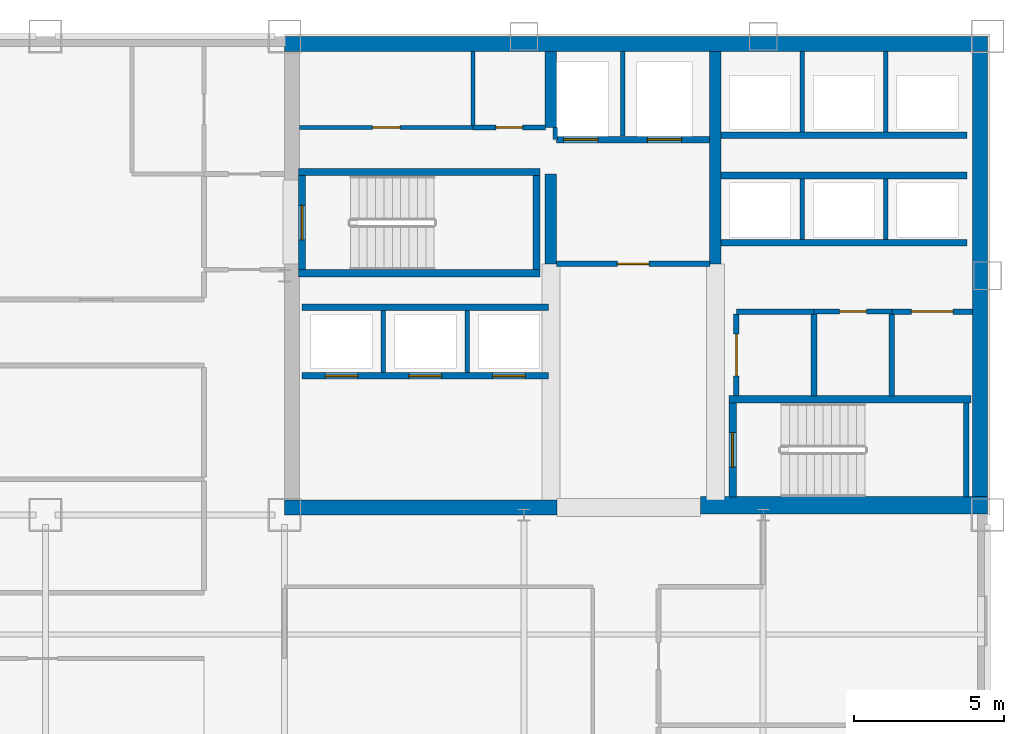
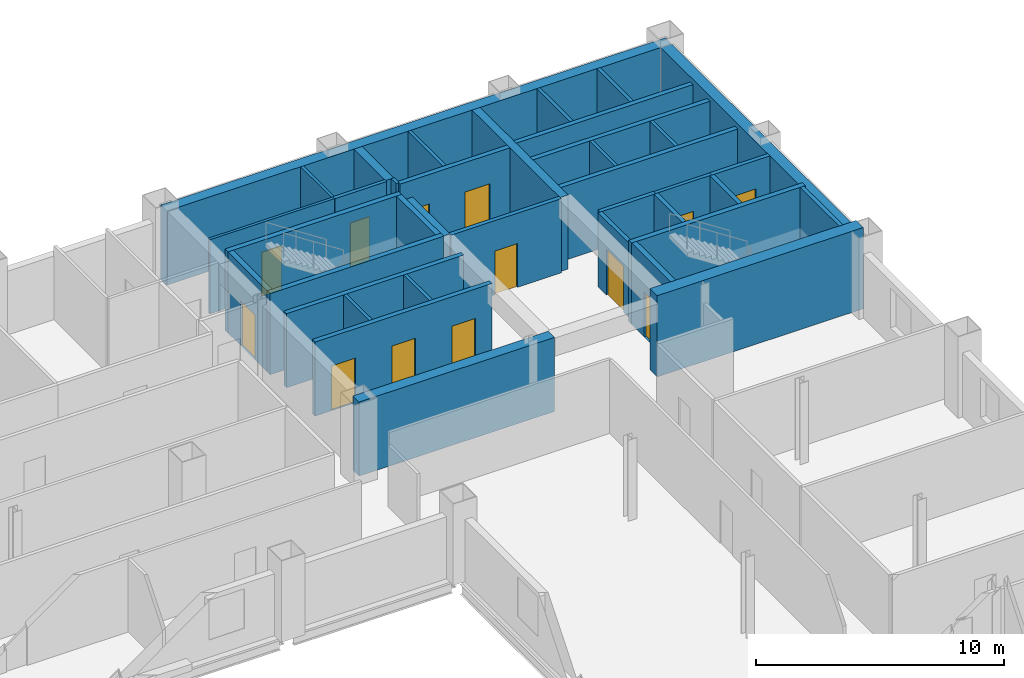
# One storey, part 7 of 10: 38 walls, 13 doors, 13 openings.
"""IFC4 building model written with IfcOpenShell, lengths in metres."""

from ifc_helpers import new_model, si_unit, direction, frame, frame_2d, origin, place, context, subcontext, project, spatial, rectangle, extrude, material, layer, layer_set, type_object, element, fill, save


model = new_model("IFC4")

# Units and contexts
model_context = context("Model", 3, precision=1e-05, world=origin(), true_north=direction((0.0, 1.0)))
body_context = subcontext(model_context, "Body", "Model", "MODEL_VIEW")
ifc_project = project(units=[si_unit("LENGTHUNIT", "METRE"), si_unit("AREAUNIT", "SQUARE_METRE"), si_unit("VOLUMEUNIT", "CUBIC_METRE"), si_unit("PLANEANGLEUNIT", "RADIAN"), si_unit("MASSUNIT", "GRAM", prefix="KILO")], contexts=[model_context])

# Site, building, storey
site_placement = place(None, origin())
site = spatial("IfcSite", under=ifc_project, at=site_placement, CompositionType="ELEMENT")
building_placement = place(site_placement, origin())
building = spatial("IfcBuilding", under=site, at=building_placement, Name="Qianrong Seaharbour Tower", CompositionType="ELEMENT")
storey_placement = place(building_placement, frame((0.0, 0.0, 191.0)))
storey = spatial("IfcBuildingStorey", under=building, at=storey_placement, Name="L46", CompositionType="ELEMENT", Elevation=191.0)

# Walls
ifc_material_1 = material(Name="Concrete C60/75", Category="concrete")
ifc_layer_1 = layer(ifc_material_1, 0.5)
ifc_layer_set_1 = layer_set([ifc_layer_1], Name="Concrete C60/75")
wall_type_1 = type_object("IfcWallType", Name="WALL-CORE-500", PredefinedType="SHEAR", material=ifc_layer_set_1)
wall_1_placement = place(storey_placement, frame((40.5, 51.75, 0.0), z_axis=(0.0, 0.0, 1.0), x_axis=(1.0, 0.0, 0.0)))
element("IfcWall", 1, at=wall_1_placement, inside=storey, type_object=wall_type_1, Name="L46 North Core Shear Wall", PredefinedType="SHEAR", context=body_context, shape_type="SweptSolid", body=[
    extrude(rectangle(XDim=23.5, YDim=0.5, at=frame_2d((11.75, 0.0))), origin(), (0.0, 0.0, 1.0), 3.64990234375),
])
wall_2_placement = place(storey_placement, frame((63.75, 36.320068359375, 0.0), z_axis=(0.0, 0.0, 1.0), x_axis=(0.0, 1.0, 0.0)))
element("IfcWall", 2, at=wall_2_placement, inside=storey, type_object=wall_type_1, Name="L46 East Core Shear Wall", PredefinedType="SHEAR", context=body_context, shape_type="SweptSolid", body=[
    extrude(rectangle(XDim=15.179931640625, YDim=0.5, at=frame_2d((7.58984375, 0.0))), origin(), (0.0, 0.0, 1.0), 3.64990234375),
])
wall_3_placement = place(storey_placement, frame((40.5, 36.25, 0.0), z_axis=(0.0, 0.0, 1.0), x_axis=(1.0, 0.0, 0.0)))
element("IfcWall", 3, at=wall_3_placement, inside=storey, type_object=wall_type_1, Name="L46 South Core Shear Wall S1", PredefinedType="SHEAR", context=body_context, shape_type="SweptSolid", body=[
    extrude(rectangle(XDim=9.10009765625, YDim=0.5, at=frame_2d((4.550048828125, 0.0))), origin(), (0.0, 0.0, 1.0), 3.64990234375),
])
ifc_material_2 = material(Name="Concrete C70/85", Category="concrete")
ifc_layer_2 = layer(ifc_material_2, 0.580078125)
ifc_layer_set_2 = layer_set([ifc_layer_2], Name="Concrete C70/85")
wall_type_2 = type_object("IfcWallType", Name="WALL-CORE-580", PredefinedType="SHEAR", material=ifc_layer_set_2)
wall_4_placement = place(storey_placement, frame((54.39990234375, 36.320068359375, 0.0), z_axis=(0.0, 0.0, 1.0), x_axis=(1.0, 0.0, 0.0)))
element("IfcWall", 4, at=wall_4_placement, inside=storey, type_object=wall_type_2, Name="L46 South Core Shear Wall S3", PredefinedType="SHEAR", context=body_context, shape_type="SweptSolid", body=[
    extrude(rectangle(XDim=9.60009765625, YDim=0.580078125, at=frame_2d((4.800048828125, 0.0))), origin(), (0.0, 0.0, 1.0), 4.0),
])
ifc_layer_3 = layer(ifc_material_1, 0.3798828125)
ifc_layer_set_3 = layer_set([ifc_layer_3], Name="Concrete C60/75")
wall_type_3 = type_object("IfcWallType", Name="WALL-CORE-INT-380", PredefinedType="SHEAR", material=ifc_layer_set_3)
wall_5_placement = place(storey_placement, frame((49.39990234375, 44.39990234375, 0.0), z_axis=(0.0, 0.0, 1.0), x_axis=(0.0, 1.0, 0.0)))
element("IfcWall", 5, at=wall_5_placement, inside=storey, type_object=wall_type_3, Name="L46 Internal Core Shear Wall IW1N1", PredefinedType="SHEAR", context=body_context, shape_type="SweptSolid", body=[
    extrude(rectangle(XDim=3.0, YDim=0.3798828125, at=frame_2d((1.5, 0.0))), origin(), (0.0, 0.0, 1.0), 3.64990234375),
])
wall_6_placement = place(storey_placement, frame((49.39990234375, 48.949951171875, 0.0), z_axis=(0.0, 0.0, 1.0), x_axis=(0.0, 1.0, 0.0)))
element("IfcWall", 6, at=wall_6_placement, inside=storey, type_object=wall_type_3, Name="L46 Internal Core Shear Wall IW1N2", PredefinedType="SHEAR", context=body_context, shape_type="SweptSolid", body=[
    extrude(rectangle(XDim=2.550048828125, YDim=0.3798828125, at=frame_2d((1.27490234375, 0.0))), origin(), (0.0, 0.0, 1.0), 3.64990234375),
])
wall_7_placement = place(storey_placement, frame((54.89990234375, 44.39990234375, 0.0), z_axis=(0.0, 0.0, 1.0), x_axis=(0.0, 1.0, 0.0)))
element("IfcWall", 7, at=wall_7_placement, inside=storey, type_object=wall_type_3, Name="L46 Internal Core Shear Wall IW2N", PredefinedType="SHEAR", context=body_context, shape_type="SweptSolid", body=[
    extrude(rectangle(XDim=7.10009765625, YDim=0.3798828125, at=frame_2d((3.550048828125, 0.0))), origin(), (0.0, 0.0, 1.0), 3.64990234375),
])

# Wall, opening, door
ifc_material_3 = material(Name="Fire-rated acoustic gypsum board partition")
ifc_layer_4 = layer(ifc_material_3, 0.1650390625)
ifc_layer_set_4 = layer_set([ifc_layer_4], Name="Fire-rated acoustic gypsum board partition")
wall_type_4 = type_object("IfcWallType", Name="WALL-CORR-PART-165", PredefinedType="PARTITIONING", material=ifc_layer_set_4)
wall_8_placement = place(storey_placement, frame((46.800048828125, 48.949951171875, 0.0), z_axis=(0.0, 0.0, 1.0), x_axis=(1.0, 0.0, 0.0)))
wall_8 = element("IfcWall", 8, at=wall_8_placement, inside=storey, type_object=wall_type_4, Name="L46 Interior Partition Wall 008", PredefinedType="PARTITIONING", context=body_context, shape_type="SweptSolid", body=[
    extrude(rectangle(XDim=2.41796875, YDim=0.1650390625, at=frame_2d((1.208984375, 0.0))), origin(), (0.0, 0.0, 1.0), 3.64990234375),
])
opening_1_placement = place(wall_8_placement, frame((0.759033203125, 0.0, 0.0)))
opening_1 = element("IfcOpeningElement", 9, at=opening_1_placement, cuts=wall_8, Name="Opening DS-01", PredefinedType="OPENING", context=body_context, shape_type="SweptSolid", body=[
    extrude(rectangle(XDim=0.89990234375, YDim=2.14990234375, at=frame_2d((0.449951171875, 1.074951171875))), frame((0.0, 0.092529296875, 0.0), z_axis=(0.0, -1.0, 0.0), x_axis=(1.0, 0.0, 0.0)), (0.0, 0.0, 1.0), 0.18505859375),
])
ifc_material_4 = material(Name="Acoustic timber and galvanized steel fire door assembly", Category="steel")
door_type_1 = type_object("IfcDoorType", Name="DOOR-STORE-900x2150", OperationType="NOTDEFINED", PredefinedType="DOOR", material=ifc_material_4)
door_1_placement = place(opening_1_placement, origin())
door_1 = element("IfcDoor", 10, at=door_1_placement, inside=storey, type_object=door_type_1, Name="L46 Janitor Store Room Door", OperationType="SINGLE_SWING_RIGHT", OverallHeight=2.14990234375, OverallWidth=0.89990234375, PredefinedType="DOOR", context=body_context, shape_type="SweptSolid", body=[
    extrude(rectangle(XDim=0.89990234375, YDim=2.14990234375, at=frame_2d((0.449951171875, 1.074951171875))), frame((0.0, 0.02490234375, 0.0), z_axis=(0.0, -1.0, 0.0), x_axis=(1.0, 0.0, 0.0)), (0.0, 0.0, 1.0), 0.050048828125),
])
fill(opening_1, door_1)

wall_9_placement = place(storey_placement, frame((60.800048828125, 42.800048828125, 0.0), z_axis=(0.0, 0.0, 1.0), x_axis=(-1.0, 0.0, 0.0)))
wall_9 = element("IfcWall", 11, at=wall_9_placement, inside=storey, type_object=wall_type_4, Name="L46 Interior Partition Wall 012", PredefinedType="PARTITIONING", context=body_context, shape_type="SweptSolid", body=[
    extrude(rectangle(XDim=2.60009765625, YDim=0.1650390625, at=frame_2d((1.300048828125, 0.0))), origin(), (0.0, 0.0, 1.0), 3.64990234375),
])
opening_2_placement = place(wall_9_placement, frame((0.85009765625, 0.0, 0.0)))
opening_2 = element("IfcOpeningElement", 12, at=opening_2_placement, cuts=wall_9, Name="Opening DS-01", PredefinedType="OPENING", context=body_context, shape_type="SweptSolid", body=[
    extrude(rectangle(XDim=0.89990234375, YDim=2.14990234375, at=frame_2d((0.449951171875, 1.074951171875))), frame((0.0, 0.092529296875, 0.0), z_axis=(0.0, -1.0, 0.0), x_axis=(1.0, 0.0, 0.0)), (0.0, 0.0, 1.0), 0.18505859375),
])
door_2_placement = place(opening_2_placement, origin())
door_2 = element("IfcDoor", 13, at=door_2_placement, inside=storey, type_object=door_type_1, Name="L46 Supply Store Room Door", OperationType="SINGLE_SWING_LEFT", OverallHeight=2.14990234375, OverallWidth=0.89990234375, PredefinedType="DOOR", context=body_context, shape_type="SweptSolid", body=[
    extrude(rectangle(XDim=0.89990234375, YDim=2.14990234375, at=frame_2d((0.449951171875, 1.074951171875))), frame((0.0, 0.02490234375, 0.0), z_axis=(0.0, -1.0, 0.0), x_axis=(1.0, 0.0, 0.0)), (0.0, 0.0, 1.0), 0.050048828125),
])
fill(opening_2, door_2)

ifc_material_5 = material(Name="Double fire-rated gypsum board acoustic partition")
ifc_layer_5 = layer(ifc_material_5, 0.18994140625)
ifc_layer_set_5 = layer_set([ifc_layer_5], Name="Double fire-rated gypsum board acoustic partition")
wall_type_5 = type_object("IfcWallType", Name="WALL-FIRE-PART-190", PredefinedType="PARTITIONING", material=ifc_layer_set_5)
wall_10_placement = place(storey_placement, frame((54.718017578125, 44.39990234375, 0.0), z_axis=(0.0, 0.0, 1.0), x_axis=(-1.0, 0.0, 0.0)))
wall_10 = element("IfcWall", 14, at=wall_10_placement, inside=storey, type_object=wall_type_5, Name="L46 Interior Partition Wall 009", PredefinedType="PARTITIONING", context=body_context, shape_type="SweptSolid", body=[
    extrude(rectangle(XDim=5.135986328125, YDim=0.18994140625, at=frame_2d((2.56787109375, 0.0))), origin(), (0.0, 0.0, 1.0), 3.64990234375),
])
opening_3_placement = place(wall_10_placement, frame((2.04296875, 0.0, 0.0)))
opening_3 = element("IfcOpeningElement", 15, at=opening_3_placement, cuts=wall_10, Name="Opening DC-01", PredefinedType="OPENING", context=body_context, shape_type="SweptSolid", body=[
    extrude(rectangle(XDim=1.050048828125, YDim=2.14990234375, at=frame_2d((0.52490234375, 1.074951171875))), frame((0.0, 0.10498046875, 0.0), z_axis=(0.0, -1.0, 0.0), x_axis=(1.0, 0.0, 0.0)), (0.0, 0.0, 1.0), 0.2099609375),
])
door_type_2 = type_object("IfcDoorType", Name="DOOR-CORR-FD60-1050x2150", OperationType="NOTDEFINED", PredefinedType="DOOR", material=ifc_material_4)
door_3_placement = place(opening_3_placement, origin())
door_3 = element("IfcDoor", 16, at=door_3_placement, inside=storey, type_object=door_type_2, Name="L46 Firefighting Lift Lobby Door", OperationType="SINGLE_SWING_RIGHT", OverallHeight=2.14990234375, OverallWidth=1.050048828125, PredefinedType="DOOR", context=body_context, shape_type="SweptSolid", body=[
    extrude(rectangle(XDim=1.050048828125, YDim=2.14990234375, at=frame_2d((0.52490234375, 1.074951171875))), frame((0.0, 0.02490234375, 0.0), z_axis=(0.0, -1.0, 0.0), x_axis=(1.0, 0.0, 0.0)), (0.0, 0.0, 1.0), 0.050048828125),
])
fill(opening_3, door_3)

wall_11_placement = place(storey_placement, frame((55.60009765625, 42.712890625, 0.0), z_axis=(0.0, 0.0, 1.0), x_axis=(0.0, -1.0, 0.0)))
wall_11 = element("IfcWall", 17, at=wall_11_placement, inside=storey, type_object=wall_type_5, Name="L46 Interior Partition Wall 010", PredefinedType="PARTITIONING", context=body_context, shape_type="SweptSolid", body=[
    extrude(rectangle(XDim=2.73095703125, YDim=0.18994140625, at=frame_2d((1.365478515625, 0.0))), origin(), (0.0, 0.0, 1.0), 3.64990234375),
])
opening_4_placement = place(wall_11_placement, frame((0.66552734375, 0.0, 0.0)))
opening_4 = element("IfcOpeningElement", 18, at=opening_4_placement, cuts=wall_11, Name="Opening DP-01", PredefinedType="OPENING", context=body_context, shape_type="SweptSolid", body=[
    extrude(rectangle(XDim=1.39990234375, YDim=2.25, at=frame_2d((0.699951171875, 1.125))), frame((0.0, 0.10498046875, 0.0), z_axis=(0.0, -1.0, 0.0), x_axis=(1.0, 0.0, 0.0)), (0.0, 0.0, 1.0), 0.2099609375),
])
door_type_3 = type_object("IfcDoorType", Name="DOOR-PLANT-PAIR-1400x2250", OperationType="DOUBLE_DOOR_SINGLE_SWING", PredefinedType="DOOR", material=ifc_material_4)
door_4_placement = place(opening_4_placement, origin())
door_4 = element("IfcDoor", 19, at=door_4_placement, inside=storey, type_object=door_type_3, Name="L46 Core Telecom Room Door", OperationType="DOUBLE_DOOR_SINGLE_SWING", OverallHeight=2.25, OverallWidth=1.39990234375, PredefinedType="DOOR", context=body_context, shape_type="SweptSolid", body=[
    extrude(rectangle(XDim=1.39990234375, YDim=2.25, at=frame_2d((0.699951171875, 1.125))), frame((0.0, 0.02490234375, 0.0), z_axis=(0.0, -1.0, 0.0), x_axis=(1.0, 0.0, 0.0)), (0.0, 0.0, 1.0), 0.050048828125),
])
fill(opening_4, door_4)

# Wall
wall_12_placement = place(storey_placement, frame((58.199951171875, 42.800048828125, 0.0), z_axis=(0.0, 0.0, 1.0), x_axis=(-1.0, 0.0, 0.0)))
element("IfcWall", 20, at=wall_12_placement, inside=storey, type_object=wall_type_5, Name="L46 Interior Partition Wall 011", PredefinedType="PARTITIONING", context=body_context, shape_type="SweptSolid", body=[
    extrude(rectangle(XDim=2.599853515625, YDim=0.18994140625, at=frame_2d((1.2998046875, 0.0))), origin(), (0.0, 0.0, 1.0), 3.64990234375),
])

# Wall, opening, door
wall_13_placement = place(storey_placement, frame((63.5, 42.800048828125, 0.0), z_axis=(0.0, 0.0, 1.0), x_axis=(-1.0, 0.0, 0.0)))
wall_13 = element("IfcWall", 21, at=wall_13_placement, inside=storey, type_object=wall_type_5, Name="L46 Interior Partition Wall 013", PredefinedType="PARTITIONING", context=body_context, shape_type="SweptSolid", body=[
    extrude(rectangle(XDim=2.699951171875, YDim=0.18994140625, at=frame_2d((1.35009765625, 0.0))), origin(), (0.0, 0.0, 1.0), 3.64990234375),
])
opening_5_placement = place(wall_13_placement, frame((0.64990234375, 0.0, 0.0)))
opening_5 = element("IfcOpeningElement", 22, at=opening_5_placement, cuts=wall_13, Name="Opening DP-01", PredefinedType="OPENING", context=body_context, shape_type="SweptSolid", body=[
    extrude(rectangle(XDim=1.39990234375, YDim=2.25, at=frame_2d((0.699951171875, 1.125))), frame((0.0, 0.10498046875, 0.0), z_axis=(0.0, -1.0, 0.0), x_axis=(1.0, 0.0, 0.0)), (0.0, 0.0, 1.0), 0.2099609375),
])
door_5_placement = place(opening_5_placement, origin())
door_5 = element("IfcDoor", 23, at=door_5_placement, inside=storey, type_object=door_type_3, Name="L46 Building Metering Room Door", OperationType="DOUBLE_DOOR_SINGLE_SWING", OverallHeight=2.25, OverallWidth=1.39990234375, PredefinedType="DOOR", context=body_context, shape_type="SweptSolid", body=[
    extrude(rectangle(XDim=1.39990234375, YDim=2.25, at=frame_2d((0.699951171875, 1.125))), frame((0.0, 0.02490234375, 0.0), z_axis=(0.0, -1.0, 0.0), x_axis=(1.0, 0.0, 0.0)), (0.0, 0.0, 1.0), 0.050048828125),
])
fill(opening_5, door_5)

# Walls
for number, where, z_axis, x_axis, name in (
    (24, (58.199951171875, 42.712890625, 0.0), (0.0, 0.0, 1.0), (0.0, -1.0, 0.0), "L46 Interior Partition Wall 015"),
    (25, (60.800048828125, 42.712890625, 0.0), (0.0, 0.0, 1.0), (0.0, -1.0, 0.0), "L46 Interior Partition Wall 016"),
):
    element("IfcWall", number, at=place(storey_placement, frame(where, z_axis=z_axis, x_axis=x_axis)), inside=storey, type_object=wall_type_5, Name=name, PredefinedType="PARTITIONING", context=body_context, shape_type="SweptSolid", body=[
        extrude(rectangle(XDim=2.73095703125, YDim=0.18994140625, at=frame_2d((1.365478515625, 0.0))), origin(), (0.0, 0.0, 1.0), 3.64990234375),
    ])
ifc_material_6 = material(Name="Fire-rated gypsum board on steel studs", Category="steel")
ifc_layer_6 = layer(ifc_material_6, 0.14990234375)
ifc_layer_set_6 = layer_set([ifc_layer_6], Name="Fire-rated gypsum board on steel studs")
wall_type_6 = type_object("IfcWallType", Name="WALL-SHAFT-DIV-150", PredefinedType="PARTITIONING", material=ifc_layer_set_6)
wall_14_placement = place(storey_placement, frame((51.800048828125, 48.669921875, 0.0), z_axis=(0.0, 0.0, 1.0), x_axis=(0.0, 1.0, 0.0)))
element("IfcWall", 26, at=wall_14_placement, inside=storey, type_object=wall_type_6, Name="L46 Firefighting Lift Shaft Divider Wall", PredefinedType="PARTITIONING", context=body_context, shape_type="SweptSolid", body=[
    extrude(rectangle(XDim=2.830078125, YDim=0.14990234375, at=frame_2d((1.4150390625, 0.0))), origin(), (0.0, 0.0, 1.0), 3.64990234375),
])
wall_15_placement = place(storey_placement, frame((49.550048828125, 48.550048828125, 0.0), z_axis=(0.0, 0.0, 1.0), x_axis=(0.0, 1.0, 0.0)))
element("IfcWall", 27, at=wall_15_placement, inside=storey, type_object=wall_type_6, Name="L46 Firefighting Lift Shaft West Return Wall", PredefinedType="PARTITIONING", context=body_context, shape_type="SweptSolid", body=[
    extrude(rectangle(XDim=0.39990234375, YDim=0.14990234375, at=frame_2d((0.199951171875, 0.0))), origin(), (0.0, 0.0, 1.0), 3.64990234375),
])
for number, where, z_axis, x_axis, name in (
    (28, (43.800048828125, 40.760009765625, 0.0), (0.0, 0.0, 1.0), (0.0, 1.0, 0.0), "L46 P2 Lift Hoistway Divider 2"),
    (29, (46.60009765625, 40.760009765625, 0.0), (0.0, 0.0, 1.0), (0.0, 1.0, 0.0), "L46 P2 Lift Hoistway Divider 3"),
):
    element("IfcWall", number, at=place(storey_placement, frame(where, z_axis=z_axis, x_axis=x_axis)), inside=storey, type_object=wall_type_6, Name=name, PredefinedType="PARTITIONING", context=body_context, shape_type="SweptSolid", body=[
        extrude(rectangle(XDim=2.080078125, YDim=0.14990234375, at=frame_2d((1.0400390625, 0.0))), origin(), (0.0, 0.0, 1.0), 3.64990234375),
    ])
for number, where, z_axis, x_axis, name in (
    (30, (57.800048828125, 45.2099609375, 0.0), (0.0, 0.0, 1.0), (0.0, 1.0, 0.0), "L46 P3 Lift Hoistway Divider 2"),
    (31, (60.60009765625, 45.2099609375, 0.0), (0.0, 0.0, 1.0), (0.0, 1.0, 0.0), "L46 P3 Lift Hoistway Divider 3"),
):
    element("IfcWall", number, at=place(storey_placement, frame(where, z_axis=z_axis, x_axis=x_axis)), inside=storey, type_object=wall_type_6, Name=name, PredefinedType="PARTITIONING", context=body_context, shape_type="SweptSolid", body=[
        extrude(rectangle(XDim=2.030029296875, YDim=0.14990234375, at=frame_2d((1.01513671875, 0.0))), origin(), (0.0, 0.0, 1.0), 3.64990234375),
    ])
for number, where, z_axis, x_axis, name in (
    (32, (57.800048828125, 48.81005859375, 0.0), (0.0, 0.0, 1.0), (0.0, 1.0, 0.0), "L46 P4 Lift Hoistway Divider 2"),
    (33, (60.60009765625, 48.81005859375, 0.0), (0.0, 0.0, 1.0), (0.0, 1.0, 0.0), "L46 P4 Lift Hoistway Divider 3"),
):
    element("IfcWall", number, at=place(storey_placement, frame(where, z_axis=z_axis, x_axis=x_axis)), inside=storey, type_object=wall_type_6, Name=name, PredefinedType="PARTITIONING", context=body_context, shape_type="SweptSolid", body=[
        extrude(rectangle(XDim=2.68994140625, YDim=0.14990234375, at=frame_2d((1.344970703125, 0.0))), origin(), (0.0, 0.0, 1.0), 3.64990234375),
    ])

# Wall, openings, doors
ifc_layer_7 = layer(ifc_material_6, 0.219970703125)
ifc_layer_set_7 = layer_set([ifc_layer_7], Name="Fire-rated gypsum board on steel studs")
wall_type_7 = type_object("IfcWallType", Name="WALL-SHAFT-GYP220", PredefinedType="PARTITIONING", material=ifc_layer_set_7)
wall_16_placement = place(storey_placement, frame((54.7099609375, 48.550048828125, 0.0), z_axis=(0.0, 0.0, 1.0), x_axis=(-1.0, 0.0, 0.0)))
wall_16 = element("IfcWall", 34, at=wall_16_placement, inside=storey, type_object=wall_type_7, Name="L46 Firefighting Lift Shaft Front Wall", PredefinedType="PARTITIONING", context=body_context, shape_type="SweptSolid", body=[
    extrude(rectangle(XDim=5.119873046875, YDim=0.219970703125, at=frame_2d((2.56005859375, 0.0))), origin(), (0.0, 0.0, 1.0), 3.64990234375),
])
opening_6_placement = place(wall_16_placement, frame((3.735107421875, 0.0, 0.0)))
opening_6 = element("IfcOpeningElement", 35, at=opening_6_placement, cuts=wall_16, Name="Opening LD-01", PredefinedType="OPENING", context=body_context, shape_type="SweptSolid", body=[
    extrude(rectangle(XDim=1.14990234375, YDim=2.199951171875, at=frame_2d((0.574951171875, 1.10009765625))), frame((0.0, 0.1201171875, 0.0), z_axis=(0.0, -1.0, 0.0), x_axis=(1.0, 0.0, 0.0)), (0.0, 0.0, 1.0), 0.239990234375),
])
opening_7_placement = place(wall_16_placement, frame((0.93505859375, 0.0, 0.0)))
opening_7 = element("IfcOpeningElement", 36, at=opening_7_placement, cuts=wall_16, Name="Opening LD-01", PredefinedType="OPENING", context=body_context, shape_type="SweptSolid", body=[
    extrude(rectangle(XDim=1.14990234375, YDim=2.199951171875, at=frame_2d((0.574951171875, 1.10009765625))), frame((0.0, 0.1201171875, 0.0), z_axis=(0.0, -1.0, 0.0), x_axis=(1.0, 0.0, 0.0)), (0.0, 0.0, 1.0), 0.239990234375),
])
ifc_material_7 = material(Name="Stainless steel SUS316L bi-parting lift landing door", Category="steel")
door_type_4 = type_object("IfcDoorType", Name="DOOR-LIFT-FF-1150x2200", OperationType="DOUBLE_DOOR_SLIDING", PredefinedType="DOOR", material=ifc_material_7)
door_6_placement = place(opening_6_placement, origin())
door_6 = element("IfcDoor", 37, at=door_6_placement, inside=storey, type_object=door_type_4, Name="L46 FL-1 Firefighting Lift Landing Door", OperationType="DOUBLE_DOOR_SLIDING", OverallHeight=2.199951171875, OverallWidth=1.14990234375, PredefinedType="DOOR", context=body_context, shape_type="SweptSolid", body=[
    extrude(rectangle(XDim=1.14990234375, YDim=2.199951171875, at=frame_2d((0.574951171875, 1.10009765625))), frame((0.0, 0.02490234375, 0.0), z_axis=(0.0, -1.0, 0.0), x_axis=(1.0, 0.0, 0.0)), (0.0, 0.0, 1.0), 0.050048828125),
])
fill(opening_6, door_6)
door_7_placement = place(opening_7_placement, origin())
door_7 = element("IfcDoor", 38, at=door_7_placement, inside=storey, type_object=door_type_4, Name="L46 FL-2 Firefighting Lift Landing Door", OperationType="DOUBLE_DOOR_SLIDING", OverallHeight=2.199951171875, OverallWidth=1.14990234375, PredefinedType="DOOR", context=body_context, shape_type="SweptSolid", body=[
    extrude(rectangle(XDim=1.14990234375, YDim=2.199951171875, at=frame_2d((0.574951171875, 1.10009765625))), frame((0.0, 0.02490234375, 0.0), z_axis=(0.0, -1.0, 0.0), x_axis=(1.0, 0.0, 0.0)), (0.0, 0.0, 1.0), 0.050048828125),
])
fill(opening_7, door_7)

wall_17_placement = place(storey_placement, frame((49.320068359375, 40.64990234375, 0.0), z_axis=(0.0, 0.0, 1.0), x_axis=(-1.0, 0.0, 0.0)))
wall_17 = element("IfcWall", 39, at=wall_17_placement, inside=storey, type_object=wall_type_7, Name="L46 P2 Lift Hoistway Front Wall", PredefinedType="PARTITIONING", context=body_context, shape_type="SweptSolid", body=[
    extrude(rectangle(XDim=8.239990234375, YDim=0.219970703125, at=frame_2d((4.1201171875, 0.0))), origin(), (0.0, 0.0, 1.0), 3.64990234375),
])
opening_8_placement = place(wall_17_placement, frame((6.3701171875, 0.0, 0.0)))
opening_8 = element("IfcOpeningElement", 40, at=opening_8_placement, cuts=wall_17, Name="Opening LD-02", PredefinedType="OPENING", context=body_context, shape_type="SweptSolid", body=[
    extrude(rectangle(XDim=1.10009765625, YDim=2.199951171875, at=frame_2d((0.550048828125, 1.10009765625))), frame((0.0, 0.1201171875, 0.0), z_axis=(0.0, -1.0, 0.0), x_axis=(1.0, 0.0, 0.0)), (0.0, 0.0, 1.0), 0.239990234375),
])
opening_9_placement = place(wall_17_placement, frame((3.570068359375, 0.0, 0.0)))
opening_9 = element("IfcOpeningElement", 41, at=opening_9_placement, cuts=wall_17, Name="Opening LD-02", PredefinedType="OPENING", context=body_context, shape_type="SweptSolid", body=[
    extrude(rectangle(XDim=1.10009765625, YDim=2.199951171875, at=frame_2d((0.550048828125, 1.10009765625))), frame((0.0, 0.1201171875, 0.0), z_axis=(0.0, -1.0, 0.0), x_axis=(1.0, 0.0, 0.0)), (0.0, 0.0, 1.0), 0.239990234375),
])
opening_10_placement = place(wall_17_placement, frame((0.77001953125, 0.0, 0.0)))
opening_10 = element("IfcOpeningElement", 42, at=opening_10_placement, cuts=wall_17, Name="Opening LD-02", PredefinedType="OPENING", context=body_context, shape_type="SweptSolid", body=[
    extrude(rectangle(XDim=1.10009765625, YDim=2.199951171875, at=frame_2d((0.550048828125, 1.10009765625))), frame((0.0, 0.1201171875, 0.0), z_axis=(0.0, -1.0, 0.0), x_axis=(1.0, 0.0, 0.0)), (0.0, 0.0, 1.0), 0.239990234375),
])
door_type_5 = type_object("IfcDoorType", Name="DOOR-LIFT-PASS-1100x2200", OperationType="DOUBLE_DOOR_SLIDING", PredefinedType="DOOR", material=ifc_material_7)
door_8_placement = place(opening_8_placement, origin())
door_8 = element("IfcDoor", 43, at=door_8_placement, inside=storey, type_object=door_type_5, Name="L46 PL-2A Lift Landing Door", OperationType="DOUBLE_DOOR_SLIDING", OverallHeight=2.199951171875, OverallWidth=1.10009765625, PredefinedType="DOOR", context=body_context, shape_type="SweptSolid", body=[
    extrude(rectangle(XDim=1.10009765625, YDim=2.199951171875, at=frame_2d((0.550048828125, 1.10009765625))), frame((0.0, 0.02490234375, 0.0), z_axis=(0.0, -1.0, 0.0), x_axis=(1.0, 0.0, 0.0)), (0.0, 0.0, 1.0), 0.050048828125),
])
fill(opening_8, door_8)
door_9_placement = place(opening_9_placement, origin())
door_9 = element("IfcDoor", 44, at=door_9_placement, inside=storey, type_object=door_type_5, Name="L46 PL-2B Lift Landing Door", OperationType="DOUBLE_DOOR_SLIDING", OverallHeight=2.199951171875, OverallWidth=1.10009765625, PredefinedType="DOOR", context=body_context, shape_type="SweptSolid", body=[
    extrude(rectangle(XDim=1.10009765625, YDim=2.199951171875, at=frame_2d((0.550048828125, 1.10009765625))), frame((0.0, 0.02490234375, 0.0), z_axis=(0.0, -1.0, 0.0), x_axis=(1.0, 0.0, 0.0)), (0.0, 0.0, 1.0), 0.050048828125),
])
fill(opening_9, door_9)
door_10_placement = place(opening_10_placement, origin())
door_10 = element("IfcDoor", 45, at=door_10_placement, inside=storey, type_object=door_type_5, Name="L46 PL-2C Lift Landing Door", OperationType="DOUBLE_DOOR_SLIDING", OverallHeight=2.199951171875, OverallWidth=1.10009765625, PredefinedType="DOOR", context=body_context, shape_type="SweptSolid", body=[
    extrude(rectangle(XDim=1.10009765625, YDim=2.199951171875, at=frame_2d((0.550048828125, 1.10009765625))), frame((0.0, 0.02490234375, 0.0), z_axis=(0.0, -1.0, 0.0), x_axis=(1.0, 0.0, 0.0)), (0.0, 0.0, 1.0), 0.050048828125),
])
fill(opening_10, door_10)

# Walls
for number, where, z_axis, x_axis, name in (
    (46, (41.080078125, 42.949951171875, 0.0), (0.0, 0.0, 1.0), (1.0, 0.0, 0.0), "L46 P2 Lift Hoistway Back Wall"),
    (47, (63.320068359375, 45.10009765625, 0.0), (0.0, 0.0, 1.0), (-1.0, 0.0, 0.0), "L46 P3 Lift Hoistway Front Wall"),
    (48, (55.080078125, 47.35009765625, 0.0), (0.0, 0.0, 1.0), (1.0, 0.0, 0.0), "L46 P3 Lift Hoistway Back Wall"),
    (49, (63.320068359375, 48.699951171875, 0.0), (0.0, 0.0, 1.0), (-1.0, 0.0, 0.0), "L46 P4 Lift Hoistway Front Wall"),
):
    element("IfcWall", number, at=place(storey_placement, frame(where, z_axis=z_axis, x_axis=x_axis)), inside=storey, type_object=wall_type_7, Name=name, PredefinedType="PARTITIONING", context=body_context, shape_type="SweptSolid", body=[
        extrude(rectangle(XDim=8.239990234375, YDim=0.219970703125, at=frame_2d((4.1201171875, 0.0))), origin(), (0.0, 0.0, 1.0), 3.64990234375),
    ])
ifc_material_8 = material(Name="Concrete C50/60", Category="concrete")
ifc_layer_8 = layer(ifc_material_8, 0.239990234375)
ifc_layer_set_8 = layer_set([ifc_layer_8], Name="Concrete C50/60")
wall_type_8 = type_object("IfcWallType", Name="WALL-SHAFT-RC240", PredefinedType="SOLIDWALL", material=ifc_layer_set_8)
for number, where, z_axis, x_axis, name in (
    (50, (40.9599609375, 47.469970703125, 0.0), (0.0, 0.0, 1.0), (1.0, 0.0, 0.0), "L46 ST-1 Structural Stair Core Wall N"),
    (51, (49.0400390625, 44.080078125, 0.0), (0.0, 0.0, 1.0), (-1.0, 0.0, 0.0), "L46 ST-1 Structural Stair Core Wall S"),
):
    element("IfcWall", number, at=place(storey_placement, frame(where, z_axis=z_axis, x_axis=x_axis)), inside=storey, type_object=wall_type_8, Name=name, PredefinedType="SOLIDWALL", context=body_context, shape_type="SweptSolid", body=[
        extrude(rectangle(XDim=8.080078125, YDim=0.239990234375, at=frame_2d((4.0400390625, 0.0))), origin(), (0.0, 0.0, 1.0), 4.0),
    ])

# Wall, opening, door
wall_18_placement = place(storey_placement, frame((41.080078125, 47.35009765625, 0.0), z_axis=(0.0, 0.0, 1.0), x_axis=(0.0, -1.0, 0.0)))
wall_18 = element("IfcWall", 52, at=wall_18_placement, inside=storey, type_object=wall_type_8, Name="L46 ST-1 Structural Stair Core Wall W", PredefinedType="SOLIDWALL", context=body_context, shape_type="SweptSolid", body=[
    extrude(rectangle(XDim=3.150146484375, YDim=0.239990234375, at=frame_2d((1.5751953125, 0.0))), origin(), (0.0, 0.0, 1.0), 4.0),
])
opening_11_placement = place(wall_18_placement, frame((1.0, 0.0, 0.0)))
opening_11 = element("IfcOpeningElement", 53, at=opening_11_placement, cuts=wall_18, Name="Opening SD-01", PredefinedType="OPENING", context=body_context, shape_type="SweptSolid", body=[
    extrude(rectangle(XDim=1.14990234375, YDim=2.199951171875, at=frame_2d((0.574951171875, 1.10009765625))), frame((0.0, 0.1298828125, 0.0), z_axis=(0.0, -1.0, 0.0), x_axis=(1.0, 0.0, 0.0)), (0.0, 0.0, 1.0), 0.260009765625),
])
door_type_6 = type_object("IfcDoorType", Name="DOOR-STAIR-FD60-1150x2200", OperationType="NOTDEFINED", PredefinedType="DOOR", material=ifc_material_4)
door_11_placement = place(opening_11_placement, origin())
door_11 = element("IfcDoor", 54, at=door_11_placement, inside=storey, type_object=door_type_6, Name="L46 ST-1 Protected Stair Door", OperationType="SINGLE_SWING_LEFT", OverallHeight=2.199951171875, OverallWidth=1.14990234375, PredefinedType="DOOR", context=body_context, shape_type="SweptSolid", body=[
    extrude(rectangle(XDim=1.14990234375, YDim=2.199951171875, at=frame_2d((0.574951171875, 1.10009765625))), frame((0.0, 0.02490234375, 0.0), z_axis=(0.0, -1.0, 0.0), x_axis=(1.0, 0.0, 0.0)), (0.0, 0.0, 1.0), 0.050048828125),
])
fill(opening_11, door_11)

# Walls
wall_19_placement = place(storey_placement, frame((48.919921875, 44.199951171875, 0.0), z_axis=(0.0, 0.0, 1.0), x_axis=(0.0, 1.0, 0.0)))
element("IfcWall", 55, at=wall_19_placement, inside=storey, type_object=wall_type_8, Name="L46 ST-1 Structural Stair Core Wall E", PredefinedType="SOLIDWALL", context=body_context, shape_type="SweptSolid", body=[
    extrude(rectangle(XDim=3.150146484375, YDim=0.239990234375, at=frame_2d((1.5751953125, 0.0))), origin(), (0.0, 0.0, 1.0), 4.0),
])
wall_20_placement = place(storey_placement, frame((55.360107421875, 39.8701171875, 0.0), z_axis=(0.0, 0.0, 1.0), x_axis=(1.0, 0.0, 0.0)))
element("IfcWall", 56, at=wall_20_placement, inside=storey, type_object=wall_type_8, Name="L46 ST-2 Structural Stair Core Wall N", PredefinedType="SOLIDWALL", context=body_context, shape_type="SweptSolid", body=[
    extrude(rectangle(XDim=8.079833984375, YDim=0.239990234375, at=frame_2d((4.0400390625, 0.0))), origin(), (0.0, 0.0, 1.0), 4.0),
])

# Wall, opening, door
wall_21_placement = place(storey_placement, frame((55.47998046875, 39.75, 0.0), z_axis=(0.0, 0.0, 1.0), x_axis=(0.0, -1.0, 0.0)))
wall_21 = element("IfcWall", 57, at=wall_21_placement, inside=storey, type_object=wall_type_8, Name="L46 ST-2 Structural Stair Core Wall W", PredefinedType="SOLIDWALL", context=body_context, shape_type="SweptSolid", body=[
    extrude(rectangle(XDim=3.14990234375, YDim=0.239990234375, at=frame_2d((1.574951171875, 0.0))), origin(), (0.0, 0.0, 1.0), 4.0),
])
opening_12_placement = place(wall_21_placement, frame((1.0, 0.0, 0.0)))
opening_12 = element("IfcOpeningElement", 58, at=opening_12_placement, cuts=wall_21, Name="Opening SD-01", PredefinedType="OPENING", context=body_context, shape_type="SweptSolid", body=[
    extrude(rectangle(XDim=1.14990234375, YDim=2.199951171875, at=frame_2d((0.574951171875, 1.10009765625))), frame((0.0, 0.1298828125, 0.0), z_axis=(0.0, -1.0, 0.0), x_axis=(1.0, 0.0, 0.0)), (0.0, 0.0, 1.0), 0.260009765625),
])
door_12_placement = place(opening_12_placement, origin())
door_12 = element("IfcDoor", 59, at=door_12_placement, inside=storey, type_object=door_type_6, Name="L46 ST-2 Protected Stair Door", OperationType="SINGLE_SWING_LEFT", OverallHeight=2.199951171875, OverallWidth=1.14990234375, PredefinedType="DOOR", context=body_context, shape_type="SweptSolid", body=[
    extrude(rectangle(XDim=1.14990234375, YDim=2.199951171875, at=frame_2d((0.574951171875, 1.10009765625))), frame((0.0, 0.02490234375, 0.0), z_axis=(0.0, -1.0, 0.0), x_axis=(1.0, 0.0, 0.0)), (0.0, 0.0, 1.0), 0.050048828125),
])
fill(opening_12, door_12)

# Wall
wall_22_placement = place(storey_placement, frame((63.2900390625, 36.60009765625, 0.0), z_axis=(0.0, 0.0, 1.0), x_axis=(0.0, 1.0, 0.0)))
element("IfcWall", 60, at=wall_22_placement, inside=storey, type_object=wall_type_8, Name="L46 ST-2 Structural Stair Core Wall E", PredefinedType="SOLIDWALL", context=body_context, shape_type="SweptSolid", body=[
    extrude(rectangle(XDim=3.14990234375, YDim=0.179931640625, at=frame_2d((1.574951171875, 0.0))), origin(), (0.0, 0.0, 1.0), 4.0),
])

# Wall, opening, door
ifc_material_9 = material(Name="Water-resistant cement board sanitary partition")
ifc_layer_9 = layer(ifc_material_9, 0.1298828125)
ifc_layer_set_9 = layer_set([ifc_layer_9], Name="Water-resistant cement board sanitary partition")
wall_type_9 = type_object("IfcWallType", Name="WALL-WET-PART-130", PredefinedType="PARTITIONING", material=ifc_layer_set_9)
wall_23_placement = place(storey_placement, frame((41.0, 48.949951171875, 0.0), z_axis=(0.0, 0.0, 1.0), x_axis=(1.0, 0.0, 0.0)))
wall_23 = element("IfcWall", 61, at=wall_23_placement, inside=storey, type_object=wall_type_9, Name="L46 Interior Partition Wall 007", PredefinedType="PARTITIONING", context=body_context, shape_type="SweptSolid", body=[
    extrude(rectangle(XDim=5.800048828125, YDim=0.1298828125, at=frame_2d((2.89990234375, 0.0))), origin(), (0.0, 0.0, 1.0), 3.64990234375),
])
opening_13_placement = place(wall_23_placement, frame((2.43994140625, 0.0, 0.0)))
opening_13 = element("IfcOpeningElement", 62, at=opening_13_placement, cuts=wall_23, Name="Opening DW-01", PredefinedType="OPENING", context=body_context, shape_type="SweptSolid", body=[
    extrude(rectangle(XDim=0.919921875, YDim=2.14990234375, at=frame_2d((0.4599609375, 1.074951171875))), frame((0.0, 0.074951171875, 0.0), z_axis=(0.0, -1.0, 0.0), x_axis=(1.0, 0.0, 0.0)), (0.0, 0.0, 1.0), 0.14990234375),
])
door_type_7 = type_object("IfcDoorType", Name="DOOR-WC-920x2150", OperationType="NOTDEFINED", PredefinedType="DOOR", material=ifc_material_4)
door_13_placement = place(opening_13_placement, origin())
door_13 = element("IfcDoor", 63, at=door_13_placement, inside=storey, type_object=door_type_7, Name="L46 Restroom WC Suite Door", OperationType="SINGLE_SWING_LEFT", OverallHeight=2.14990234375, OverallWidth=0.919921875, PredefinedType="DOOR", context=body_context, shape_type="SweptSolid", body=[
    extrude(rectangle(XDim=0.919921875, YDim=2.14990234375, at=frame_2d((0.4599609375, 1.074951171875))), frame((0.0, 0.02490234375, 0.0), z_axis=(0.0, -1.0, 0.0), x_axis=(1.0, 0.0, 0.0)), (0.0, 0.0, 1.0), 0.050048828125),
])
fill(opening_13, door_13)

# Wall
wall_24_placement = place(storey_placement, frame((46.800048828125, 51.5, 0.0), z_axis=(0.0, 0.0, 1.0), x_axis=(0.0, -1.0, 0.0)))
element("IfcWall", 64, at=wall_24_placement, inside=storey, type_object=wall_type_9, Name="L46 Interior Partition Wall 014", PredefinedType="PARTITIONING", context=body_context, shape_type="SweptSolid", body=[
    extrude(rectangle(XDim=2.4755859375, YDim=0.1298828125, at=frame_2d((1.23779296875, 0.0))), origin(), (0.0, 0.0, 1.0), 3.64990234375),
])

save(model, "model.ifc")
